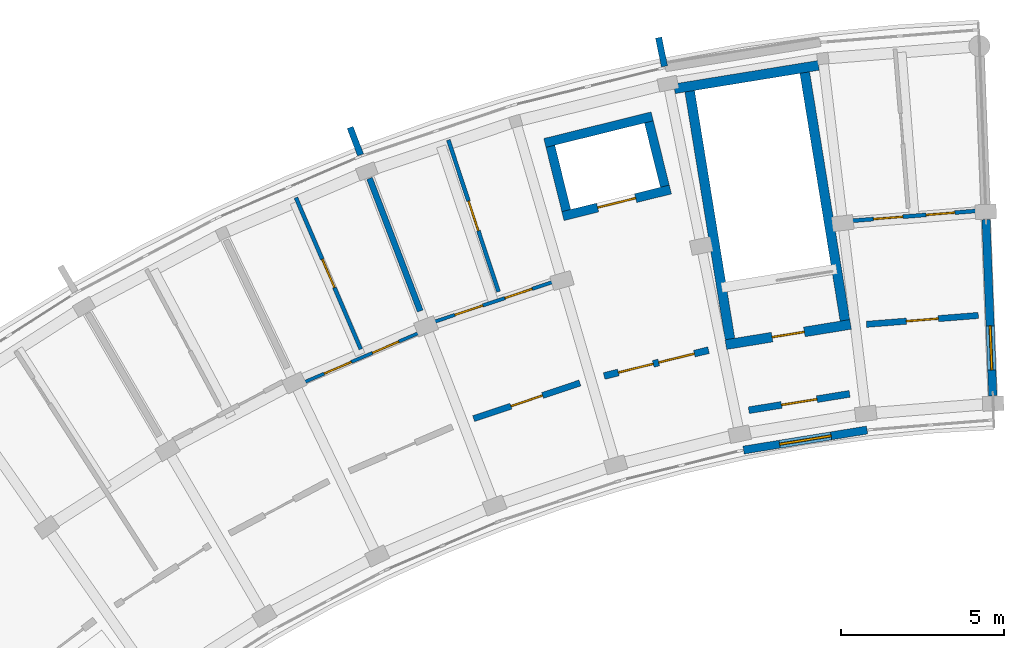
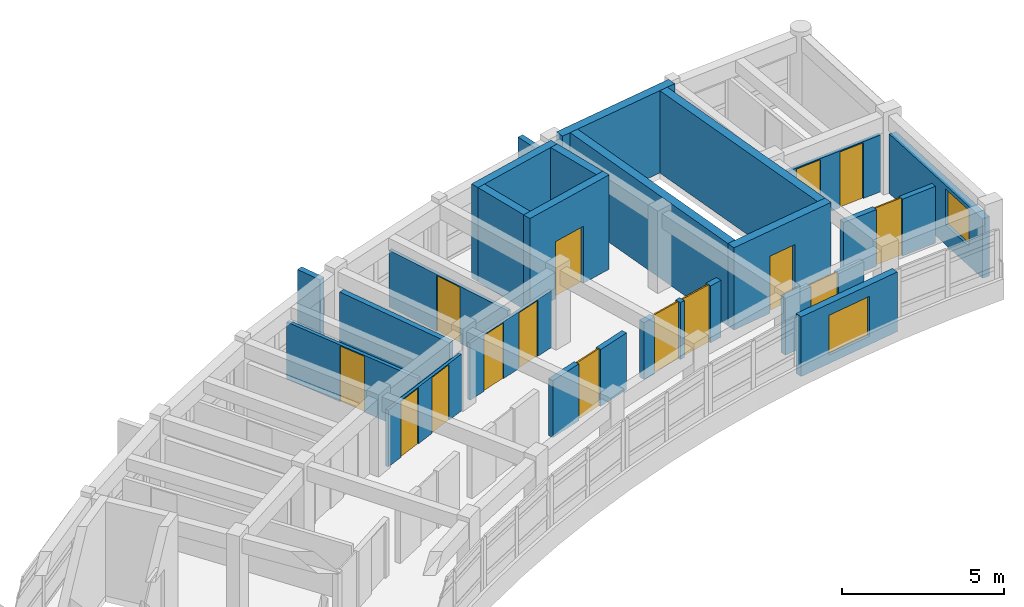
# One storey, part 9 of 11: 22 walls, 15 doors, 2 windows, 17 openings.
"""IFC4 building model written with IfcOpenShell, lengths in metres."""

from ifc_helpers import new_model, si_unit, direction, frame, frame_2d, origin, place, context, subcontext, project, spatial, rectangle, extrude, material, layer, layer_set, type_object, element, fill, save


model = new_model("IFC4")

# Units and contexts
model_context = context("Model", 3, precision=1e-05, world=origin(), true_north=direction((0.0, 1.0)))
body_context = subcontext(model_context, "Body", "Model", "MODEL_VIEW")
ifc_project = project(units=[si_unit("LENGTHUNIT", "METRE"), si_unit("AREAUNIT", "SQUARE_METRE"), si_unit("VOLUMEUNIT", "CUBIC_METRE"), si_unit("PLANEANGLEUNIT", "RADIAN"), si_unit("MASSUNIT", "GRAM", prefix="KILO")], contexts=[model_context])

# Site, building, storey
site_placement = place(None, origin())
site = spatial("IfcSite", under=ifc_project, at=site_placement, CompositionType="ELEMENT")
building_placement = place(site_placement, origin())
building = spatial("IfcBuilding", under=site, at=building_placement, Name="Zimvara Arc Housing Community", CompositionType="ELEMENT")
storey_placement = place(building_placement, frame((0.0, 0.0, 42.199951171875)))
storey = spatial("IfcBuildingStorey", under=building, at=storey_placement, Name="L13", CompositionType="ELEMENT", Elevation=42.199951171875)

# Wall, opening, window
ifc_material_1 = material(Name="Board-Marked Fair-Faced Concrete C35/45", Category="concrete")
ifc_layer_1 = layer(ifc_material_1, 0.2548828125)
ifc_layer_set_1 = layer_set([ifc_layer_1], Name="Board-Marked Fair-Faced Concrete C35/45")
wall_type_1 = type_object("IfcWallType", Name="EWL-CONC-255", PredefinedType="SOLIDWALL", material=ifc_layer_set_1)
wall_1_placement = place(storey_placement, frame((43.151123046875, 92.62451171875, 0.0), z_axis=(0.0, 0.0, 1.0), x_axis=(-0.038384504742, 0.999263043345, 0.0)))
wall_1 = element("IfcWall", 1, at=wall_1_placement, inside=storey, type_object=wall_type_1, Name="ewall:blkA:L13:gN", PredefinedType="SOLIDWALL", context=body_context, shape_type="SweptSolid", body=[
    extrude(rectangle(XDim=5.39990234375, YDim=0.2548828125, at=frame_2d((2.699951171875, 0.0))), origin(), (0.0, 0.0, 1.0), 2.239990234375),
])
opening_1_placement = place(wall_1_placement, frame((0.7900390625, 0.0, 0.75)))
opening_1 = element("IfcOpeningElement", 2, at=opening_1_placement, cuts=wall_1, Name="Opening W12", PredefinedType="OPENING", context=body_context, shape_type="SweptSolid", body=[
    extrude(rectangle(XDim=1.35009765625, YDim=1.35009765625, at=frame_2d((0.675048828125, 0.675048828125))), frame((0.0, 0.137451171875, 0.0), z_axis=(0.0, -1.0, 0.0), x_axis=(1.0, 0.0, 0.0)), (0.0, 0.0, 1.0), 0.27490234375),
])
ifc_material_2 = material(Name="Solar Control Low-E Double Glazing", Category="glass")
window_type_1 = type_object("IfcWindowType", Name="WIN-RES-1350x1350", PartitioningType="DOUBLE_PANEL_VERTICAL", PredefinedType="WINDOW", material=ifc_material_2)
window_1_placement = place(opening_1_placement, origin())
window_1 = element("IfcWindow", 3, at=window_1_placement, inside=storey, type_object=window_type_1, Name="win:blkA:L13:gN:w", OverallHeight=1.35009765625, OverallWidth=1.35009765625, PartitioningType="DOUBLE_PANEL_VERTICAL", PredefinedType="WINDOW", context=body_context, shape_type="SweptSolid", body=[
    extrude(rectangle(XDim=1.35009765625, YDim=1.35009765625, at=frame_2d((0.675048828125, 0.675048828125))), frame((0.0, 0.030029296875, 0.0), z_axis=(0.0, -1.0, 0.0), x_axis=(1.0, 0.0, 0.0)), (0.0, 0.0, 1.0), 0.06005859375),
])
fill(opening_1, window_1)

# Walls
ifc_material_3 = material(Name="Board-Marked Fair-Faced Concrete C35/45", Category="concrete")
ifc_layer_2 = layer(ifc_material_3, 0.195068359375)
ifc_layer_set_2 = layer_set([ifc_layer_2], Name="Board-Marked Fair-Faced Concrete C35/45")
wall_type_2 = type_object("IfcWallType", Name="EWL-PARA-195", PredefinedType="PARAPET", material=ifc_layer_set_2)
for number, where, z_axis, x_axis, name in (
    (4, (23.783203125, 100.0029296875, 0.0), (0.0, 0.0, 1.0), (-0.356942580168, 0.934126326823, 0.0), "finwall:blkA:L13:out:b6"),
    (5, (33.092529296875, 102.714599609375, 0.0), (0.0, 0.0, 1.0), (-0.200183211319, 0.979758481416, 0.0), "finwall:blkA:L13:out:b8"),
):
    element("IfcWall", number, at=place(storey_placement, frame(where, z_axis=z_axis, x_axis=x_axis)), inside=storey, type_object=wall_type_2, Name=name, PredefinedType="PARAPET", context=body_context, shape_type="SweptSolid", body=[
        extrude(rectangle(XDim=0.900146484375, YDim=0.195068359375, at=frame_2d((0.4501953125, 0.0))), origin(), (0.0, 0.0, 1.0), 2.25),
    ])

# Wall, opening, window
ifc_material_4 = material(Name="Pigmented Fair-Faced Concrete C35/45", Category="concrete")
ifc_layer_3 = layer(ifc_material_4, 0.2451171875)
ifc_layer_set_3 = layer_set([ifc_layer_3], Name="Pigmented Fair-Faced Concrete C35/45")
wall_type_3 = type_object("IfcWallType", Name="EWL-PIGM-245", PredefinedType="SOLIDWALL", material=ifc_layer_set_3)
wall_2_placement = place(storey_placement, frame((35.51708984375, 90.96142578125, 0.0), z_axis=(0.0, 0.0, 1.0), x_axis=(0.987080708519, 0.160223827412, 0.0)))
wall_2 = element("IfcWall", 6, at=wall_2_placement, inside=storey, type_object=wall_type_3, Name="ewall:blkA:L13:in:b8", PredefinedType="SOLIDWALL", context=body_context, shape_type="SweptSolid", body=[
    extrude(rectangle(XDim=3.832275390625, YDim=0.2451171875, at=frame_2d((1.916015625, 0.0))), origin(), (0.0, 0.0, 1.0), 2.25),
])
opening_2_placement = place(wall_2_placement, frame((1.1162109375, 0.0, 0.320068359375)))
opening_2 = element("IfcOpeningElement", 7, at=opening_2_placement, cuts=wall_2, Name="Opening W03", PredefinedType="OPENING", context=body_context, shape_type="SweptSolid", body=[
    extrude(rectangle(XDim=1.60009765625, YDim=1.5, at=frame_2d((0.800048828125, 0.75))), frame((0.0, 0.132568359375, 0.0), z_axis=(0.0, -1.0, 0.0), x_axis=(1.0, 0.0, 0.0)), (0.0, 0.0, 1.0), 0.26513671875),
])
ifc_material_5 = material(Name="Solar Control Low-E Double Glazing", Category="glass")
window_type_2 = type_object("IfcWindowType", Name="WIN-RES-1600x1500", PartitioningType="DOUBLE_PANEL_VERTICAL", PredefinedType="WINDOW", material=ifc_material_5)
window_2_placement = place(opening_2_placement, origin())
window_2 = element("IfcWindow", 8, at=window_2_placement, inside=storey, type_object=window_type_2, Name="win:blkA:L13:in:b8", OverallHeight=1.5, OverallWidth=1.60009765625, PartitioningType="DOUBLE_PANEL_VERTICAL", PredefinedType="WINDOW", context=body_context, shape_type="SweptSolid", body=[
    extrude(rectangle(XDim=1.60009765625, YDim=1.5, at=frame_2d((0.800048828125, 0.75))), frame((0.0, 0.030029296875, 0.0), z_axis=(0.0, -1.0, 0.0), x_axis=(1.0, 0.0, 0.0)), (0.0, 0.0, 1.0), 0.06005859375),
])
fill(opening_2, window_2)

# Wall, openings, doors
ifc_material_6 = material(Name="Concrete C35/45", Category="concrete")
ifc_layer_4 = layer(ifc_material_6, 0.2099609375)
ifc_layer_set_4 = layer_set([ifc_layer_4], Name="Concrete C35/45")
wall_type_4 = type_object("IfcWallType", Name="IWL-CCF-210", PredefinedType="SOLIDWALL", material=ifc_layer_set_4)
wall_3_placement = place(storey_placement, frame((31.242919921875, 93.22998046875, 0.0), z_axis=(0.0, 0.0, 1.0), x_axis=(0.970719238682, 0.240216901263, 0.0)))
wall_3 = element("IfcWall", 9, at=wall_3_placement, inside=storey, type_object=wall_type_4, Name="iwall:blkA:L13:ll_div:b7", PredefinedType="SOLIDWALL", context=body_context, shape_type="SweptSolid", body=[
    extrude(rectangle(XDim=3.2958984375, YDim=0.2099609375, at=frame_2d((1.64794921875, 0.0))), origin(), (0.0, 0.0, 1.0), 2.14013671875),
])
opening_3_placement = place(wall_3_placement, frame((0.449951171875, 0.0, 0.0)))
opening_3 = element("IfcOpeningElement", 10, at=opening_3_placement, cuts=wall_3, Name="Opening FD-CCF1", PredefinedType="OPENING", context=body_context, shape_type="SweptSolid", body=[
    extrude(rectangle(XDim=1.10009765625, YDim=2.14990234375, at=frame_2d((0.550048828125, 1.074951171875))), frame((0.0, 0.114990234375, 0.0), z_axis=(0.0, -1.0, 0.0), x_axis=(1.0, 0.0, 0.0)), (0.0, 0.0, 1.0), 0.22998046875),
])
opening_4_placement = place(wall_3_placement, frame((1.72607421875, 0.0, 0.0)))
opening_4 = element("IfcOpeningElement", 11, at=opening_4_placement, cuts=wall_3, Name="Opening D07", PredefinedType="OPENING", context=body_context, shape_type="SweptSolid", body=[
    extrude(rectangle(XDim=1.1201171875, YDim=2.14990234375, at=frame_2d((0.56005859375, 1.074951171875))), frame((0.0, 0.114990234375, 0.0), z_axis=(0.0, -1.0, 0.0), x_axis=(1.0, 0.0, 0.0)), (0.0, 0.0, 1.0), 0.22998046875),
])
ifc_material_7 = material(Name="Mozambican Hardwood", Category="wood")
door_type_1 = type_object("IfcDoorType", Name="IDR-AMN-1120x2150", OperationType="NOTDEFINED", PredefinedType="DOOR", material=ifc_material_7)
door_1_placement = place(opening_4_placement, origin())
door_1 = element("IfcDoor", 12, at=door_1_placement, inside=storey, type_object=door_type_1, Name="idoor:blkA:L13:rs_in:b7", OperationType="SINGLE_SWING_RIGHT", OverallHeight=2.14990234375, OverallWidth=1.1201171875, PredefinedType="DOOR", context=body_context, shape_type="SweptSolid", body=[
    extrude(rectangle(XDim=1.1201171875, YDim=2.14990234375, at=frame_2d((0.56005859375, 1.074951171875))), frame((0.0, 0.02490234375, 0.0), z_axis=(0.0, -1.0, 0.0), x_axis=(1.0, 0.0, 0.0)), (0.0, 0.0, 1.0), 0.050048828125),
])
fill(opening_4, door_1)
ifc_material_8 = material(Name="Anodised Aluminium AW-6063", Category="aluminium")
door_type_2 = type_object("IfcDoorType", Name="IDR-CCF-1100x2150", OperationType="NOTDEFINED", PredefinedType="DOOR", material=ifc_material_8)
door_2_placement = place(opening_3_placement, origin())
door_2 = element("IfcDoor", 13, at=door_2_placement, inside=storey, type_object=door_type_2, Name="idoor:blkA:L13:ll_in:b7", OperationType="SINGLE_SWING_LEFT", OverallHeight=2.14990234375, OverallWidth=1.10009765625, PredefinedType="DOOR", context=body_context, shape_type="SweptSolid", body=[
    extrude(rectangle(XDim=1.10009765625, YDim=2.14990234375, at=frame_2d((0.550048828125, 1.074951171875))), frame((0.0, 0.02490234375, 0.0), z_axis=(0.0, -1.0, 0.0), x_axis=(1.0, 0.0, 0.0)), (0.0, 0.0, 1.0), 0.050048828125),
])
fill(opening_3, door_2)

# Wall, opening, door
wall_4_placement = place(storey_placement, frame((35.675537109375, 92.181396484375, 0.0), z_axis=(0.0, 0.0, 1.0), x_axis=(0.98707079686, 0.160284877599, 0.0)))
wall_4 = element("IfcWall", 14, at=wall_4_placement, inside=storey, type_object=wall_type_4, Name="iwall:blkA:L13:ccf_div:b8", PredefinedType="SOLIDWALL", context=body_context, shape_type="SweptSolid", body=[
    extrude(rectangle(XDim=3.128662109375, YDim=0.2099609375, at=frame_2d((1.564453125, 0.0))), origin(), (0.0, 0.0, 1.0), 2.14013671875),
])
opening_5_placement = place(wall_4_placement, frame((1.014404296875, 0.0, 0.0)))
opening_5 = element("IfcOpeningElement", 15, at=opening_5_placement, cuts=wall_4, Name="Opening FD-CCF1", PredefinedType="OPENING", context=body_context, shape_type="SweptSolid", body=[
    extrude(rectangle(XDim=1.10009765625, YDim=2.14990234375, at=frame_2d((0.550048828125, 1.074951171875))), frame((0.0, 0.114990234375, 0.0), z_axis=(0.0, -1.0, 0.0), x_axis=(1.0, 0.0, 0.0)), (0.0, 0.0, 1.0), 0.22998046875),
])
door_3_placement = place(opening_5_placement, origin())
door_3 = element("IfcDoor", 16, at=door_3_placement, inside=storey, type_object=door_type_2, Name="idoor:blkA:L13:ccf_in:b8", OperationType="SINGLE_SWING_LEFT", OverallHeight=2.14990234375, OverallWidth=1.10009765625, PredefinedType="DOOR", context=body_context, shape_type="SweptSolid", body=[
    extrude(rectangle(XDim=1.10009765625, YDim=2.14990234375, at=frame_2d((0.550048828125, 1.074951171875))), frame((0.0, 0.02490234375, 0.0), z_axis=(0.0, -1.0, 0.0), x_axis=(1.0, 0.0, 0.0)), (0.0, 0.0, 1.0), 0.050048828125),
])
fill(opening_5, door_3)

ifc_material_9 = material(Name="Concrete C35/45", Category="concrete")
ifc_layer_5 = layer(ifc_material_9, 0.18994140625)
ifc_layer_set_5 = layer_set([ifc_layer_5], Name="Concrete C35/45")
wall_type_5 = type_object("IfcWallType", Name="IWL-CORR-190", PredefinedType="SOLIDWALL", material=ifc_layer_set_5)
wall_5_placement = place(storey_placement, frame((27.24658203125, 91.922607421875, 0.0), z_axis=(0.0, 0.0, 1.0), x_axis=(0.947863007629, 0.318678080151, 0.0)))
wall_5 = element("IfcWall", 17, at=wall_5_placement, inside=storey, type_object=wall_type_5, Name="iwall:blkA:L13:corr_out:b6", PredefinedType="SOLIDWALL", context=body_context, shape_type="SweptSolid", body=[
    extrude(rectangle(XDim=3.43603515625, YDim=0.18994140625, at=frame_2d((1.718017578125, 0.0))), origin(), (0.0, 0.0, 1.0), 2.14013671875),
])
opening_6_placement = place(wall_5_placement, frame((1.2080078125, 0.0, 0.0)))
opening_6 = element("IfcOpeningElement", 18, at=opening_6_placement, cuts=wall_5, Name="Opening FD-FL2", PredefinedType="OPENING", context=body_context, shape_type="SweptSolid", body=[
    extrude(rectangle(XDim=1.02001953125, YDim=2.14990234375, at=frame_2d((0.510009765625, 1.074951171875))), frame((0.0, 0.10498046875, 0.0), z_axis=(0.0, -1.0, 0.0), x_axis=(1.0, 0.0, 0.0)), (0.0, 0.0, 1.0), 0.2099609375),
])
ifc_material_10 = material(Name="Mozambican Hardwood", Category="wood")
door_type_3 = type_object("IfcDoorType", Name="IDR-FLAT-1020x2150", OperationType="NOTDEFINED", PredefinedType="DOOR", material=ifc_material_10)
door_4_placement = place(opening_6_placement, origin())
door_4 = element("IfcDoor", 19, at=door_4_placement, inside=storey, type_object=door_type_3, Name="idoor:blkA:L13:flat:b6", OperationType="SINGLE_SWING_LEFT", OverallHeight=2.14990234375, OverallWidth=1.02001953125, PredefinedType="DOOR", context=body_context, shape_type="SweptSolid", body=[
    extrude(rectangle(XDim=1.02001953125, YDim=2.14990234375, at=frame_2d((0.510009765625, 1.074951171875))), frame((0.0, 0.02490234375, 0.0), z_axis=(0.0, -1.0, 0.0), x_axis=(1.0, 0.0, 0.0)), (0.0, 0.0, 1.0), 0.050048828125),
])
fill(opening_6, door_4)

wall_6_placement = place(storey_placement, frame((39.281494140625, 94.81298828125, 0.0), z_axis=(0.0, 0.0, 1.0), x_axis=(0.996862545573, 0.079152165058, 0.0)))
wall_6 = element("IfcWall", 20, at=wall_6_placement, inside=storey, type_object=wall_type_5, Name="iwall:blkA:L13:corr_out:b9", PredefinedType="SOLIDWALL", context=body_context, shape_type="SweptSolid", body=[
    extrude(rectangle(XDim=3.43603515625, YDim=0.18994140625, at=frame_2d((1.718017578125, 0.0))), origin(), (0.0, 0.0, 1.0), 2.14013671875),
])
opening_7_placement = place(wall_6_placement, frame((1.22802734375, 0.0, 0.0)))
opening_7 = element("IfcOpeningElement", 21, at=opening_7_placement, cuts=wall_6, Name="Opening FD-FL1", PredefinedType="OPENING", context=body_context, shape_type="SweptSolid", body=[
    extrude(rectangle(XDim=0.97998046875, YDim=2.14990234375, at=frame_2d((0.489990234375, 1.074951171875))), frame((0.0, 0.10498046875, 0.0), z_axis=(0.0, -1.0, 0.0), x_axis=(1.0, 0.0, 0.0)), (0.0, 0.0, 1.0), 0.2099609375),
])
ifc_material_11 = material(Name="Mozambican Hardwood", Category="wood")
door_type_4 = type_object("IfcDoorType", Name="IDR-FLAT-0980x2150", OperationType="NOTDEFINED", PredefinedType="DOOR", material=ifc_material_11)
door_5_placement = place(opening_7_placement, origin())
door_5 = element("IfcDoor", 22, at=door_5_placement, inside=storey, type_object=door_type_4, Name="idoor:blkA:L13:flat:b9", OperationType="SINGLE_SWING_RIGHT", OverallHeight=2.14990234375, OverallWidth=0.97998046875, PredefinedType="DOOR", context=body_context, shape_type="SweptSolid", body=[
    extrude(rectangle(XDim=0.97998046875, YDim=2.14990234375, at=frame_2d((0.489990234375, 1.074951171875))), frame((0.0, 0.02490234375, 0.0), z_axis=(0.0, -1.0, 0.0), x_axis=(1.0, 0.0, 0.0)), (0.0, 0.0, 1.0), 0.050048828125),
])
fill(opening_7, door_5)

# Wall
ifc_material_12 = material(Name="Concrete C35/45", Category="concrete")
ifc_layer_6 = layer(ifc_material_12, 0.18505859375)
ifc_layer_set_6 = layer_set([ifc_layer_6], Name="Concrete C35/45")
wall_type_6 = type_object("IfcWallType", Name="IWL-FLAT-185", PredefinedType="SOLIDWALL", material=ifc_layer_set_6)
wall_7_placement = place(storey_placement, frame((25.611328125, 95.220458984375, 0.0), z_axis=(0.0, 0.0, 1.0), x_axis=(-0.357064016205, 0.934079915388, 0.0)))
element("IfcWall", 23, at=wall_7_placement, inside=storey, type_object=wall_type_6, Name="iwall:blkA:L13:party:b6", PredefinedType="SOLIDWALL", context=body_context, shape_type="SweptSolid", body=[
    extrude(rectangle(XDim=4.35009765625, YDim=0.18505859375, at=frame_2d((2.175048828125, 0.0))), origin(), (0.0, 0.0, 1.0), 2.14013671875),
])

# Wall, openings, doors
ifc_material_13 = material(Name="Painted Acoustic Plasterboard")
ifc_layer_7 = layer(ifc_material_13, 0.10009765625)
ifc_layer_set_7 = layer_set([ifc_layer_7], Name="Painted Acoustic Plasterboard")
wall_type_7 = type_object("IfcWallType", Name="IWL-PART-100", PredefinedType="PARTITIONING", material=ifc_layer_set_7)
wall_8_placement = place(storey_placement, frame((22.072509765625, 93.046875, 0.0), z_axis=(0.0, 0.0, 1.0), x_axis=(0.918737522346, 0.394868794707, 0.0)))
wall_8 = element("IfcWall", 24, at=wall_8_placement, inside=storey, type_object=wall_type_7, Name="iwall:blkA:L13:srv:b5", PredefinedType="PARTITIONING", context=body_context, shape_type="SweptSolid", body=[
    extrude(rectangle(XDim=3.78515625, YDim=0.10009765625, at=frame_2d((1.892578125, 0.0))), origin(), (0.0, 0.0, 1.0), 2.14013671875),
])
opening_8_placement = place(wall_8_placement, frame((0.64990234375, 0.0, 0.0)))
opening_8 = element("IfcOpeningElement", 25, at=opening_8_placement, cuts=wall_8, Name="Opening D01", PredefinedType="OPENING", context=body_context, shape_type="SweptSolid", body=[
    extrude(rectangle(XDim=0.89990234375, YDim=2.10009765625, at=frame_2d((0.449951171875, 1.050048828125))), frame((0.0, 0.06005859375, 0.0), z_axis=(0.0, -1.0, 0.0), x_axis=(1.0, 0.0, 0.0)), (0.0, 0.0, 1.0), 0.1201171875),
])
opening_9_placement = place(wall_8_placement, frame((2.255126953125, 0.0, 0.0)))
opening_9 = element("IfcOpeningElement", 26, at=opening_9_placement, cuts=wall_8, Name="Opening D05", PredefinedType="OPENING", context=body_context, shape_type="SweptSolid", body=[
    extrude(rectangle(XDim=0.8798828125, YDim=2.10009765625, at=frame_2d((0.43994140625, 1.050048828125))), frame((0.0, 0.06005859375, 0.0), z_axis=(0.0, -1.0, 0.0), x_axis=(1.0, 0.0, 0.0)), (0.0, 0.0, 1.0), 0.1201171875),
])
ifc_material_14 = material(Name="Mozambican Hardwood", Category="wood")
door_type_5 = type_object("IfcDoorType", Name="IDR-RM-0900x2100", OperationType="NOTDEFINED", PredefinedType="DOOR", material=ifc_material_14)
door_6_placement = place(opening_8_placement, origin())
door_6 = element("IfcDoor", 27, at=door_6_placement, inside=storey, type_object=door_type_5, Name="idoor:blkA:L13:kit_liv:b5", OperationType="SINGLE_SWING_RIGHT", OverallHeight=2.10009765625, OverallWidth=0.89990234375, PredefinedType="DOOR", context=body_context, shape_type="SweptSolid", body=[
    extrude(rectangle(XDim=0.89990234375, YDim=2.10009765625, at=frame_2d((0.449951171875, 1.050048828125))), frame((0.0, 0.02490234375, 0.0), z_axis=(0.0, -1.0, 0.0), x_axis=(1.0, 0.0, 0.0)), (0.0, 0.0, 1.0), 0.050048828125),
])
fill(opening_8, door_6)
ifc_material_15 = material(Name="Mozambican Hardwood", Category="wood")
door_type_6 = type_object("IfcDoorType", Name="IDR-WC-0880x2100", OperationType="NOTDEFINED", PredefinedType="DOOR", material=ifc_material_15)
door_7_placement = place(opening_9_placement, origin())
door_7 = element("IfcDoor", 28, at=door_7_placement, inside=storey, type_object=door_type_6, Name="idoor:blkA:L13:bath_d:b5", OperationType="SINGLE_SWING_LEFT", OverallHeight=2.10009765625, OverallWidth=0.8798828125, PredefinedType="DOOR", context=body_context, shape_type="SweptSolid", body=[
    extrude(rectangle(XDim=0.8798828125, YDim=2.10009765625, at=frame_2d((0.43994140625, 1.050048828125))), frame((0.0, 0.02490234375, 0.0), z_axis=(0.0, -1.0, 0.0), x_axis=(1.0, 0.0, 0.0)), (0.0, 0.0, 1.0), 0.050048828125),
])
fill(opening_9, door_7)

ifc_material_16 = material(Name="Painted Acoustic Plasterboard")
ifc_layer_8 = layer(ifc_material_16, 0.10498046875)
ifc_layer_set_8 = layer_set([ifc_layer_8], Name="Painted Acoustic Plasterboard")
wall_type_8 = type_object("IfcWallType", Name="IWL-PART-105", PredefinedType="PARTITIONING", material=ifc_layer_set_8)
wall_9_placement = place(storey_placement, frame((26.056396484375, 94.895751953125, 0.0), z_axis=(0.0, 0.0, 1.0), x_axis=(0.947876567739, 0.318637744673, 0.0)))
wall_9 = element("IfcWall", 29, at=wall_9_placement, inside=storey, type_object=wall_type_8, Name="iwall:blkA:L13:srv:b6", PredefinedType="PARTITIONING", context=body_context, shape_type="SweptSolid", body=[
    extrude(rectangle(XDim=3.79736328125, YDim=0.10498046875, at=frame_2d((1.898681640625, 0.0))), origin(), (0.0, 0.0, 1.0), 2.14013671875),
])
opening_10_placement = place(wall_9_placement, frame((0.64990234375, 0.0, 0.0)))
opening_10 = element("IfcOpeningElement", 30, at=opening_10_placement, cuts=wall_9, Name="Opening D01", PredefinedType="OPENING", context=body_context, shape_type="SweptSolid", body=[
    extrude(rectangle(XDim=0.89990234375, YDim=2.10009765625, at=frame_2d((0.449951171875, 1.050048828125))), frame((0.0, 0.0625, 0.0), z_axis=(0.0, -1.0, 0.0), x_axis=(1.0, 0.0, 0.0)), (0.0, 0.0, 1.0), 0.125),
])
opening_11_placement = place(wall_9_placement, frame((2.267333984375, 0.0, 0.0)))
opening_11 = element("IfcOpeningElement", 31, at=opening_11_placement, cuts=wall_9, Name="Opening D05", PredefinedType="OPENING", context=body_context, shape_type="SweptSolid", body=[
    extrude(rectangle(XDim=0.8798828125, YDim=2.10009765625, at=frame_2d((0.43994140625, 1.050048828125))), frame((0.0, 0.0625, 0.0), z_axis=(0.0, -1.0, 0.0), x_axis=(1.0, 0.0, 0.0)), (0.0, 0.0, 1.0), 0.125),
])
door_8_placement = place(opening_10_placement, origin())
door_8 = element("IfcDoor", 32, at=door_8_placement, inside=storey, type_object=door_type_5, Name="idoor:blkA:L13:kit_liv:b6", OperationType="SINGLE_SWING_RIGHT", OverallHeight=2.10009765625, OverallWidth=0.89990234375, PredefinedType="DOOR", context=body_context, shape_type="SweptSolid", body=[
    extrude(rectangle(XDim=0.89990234375, YDim=2.10009765625, at=frame_2d((0.449951171875, 1.050048828125))), frame((0.0, 0.02490234375, 0.0), z_axis=(0.0, -1.0, 0.0), x_axis=(1.0, 0.0, 0.0)), (0.0, 0.0, 1.0), 0.050048828125),
])
fill(opening_10, door_8)
door_9_placement = place(opening_11_placement, origin())
door_9 = element("IfcDoor", 33, at=door_9_placement, inside=storey, type_object=door_type_6, Name="idoor:blkA:L13:bath_d:b6", OperationType="SINGLE_SWING_LEFT", OverallHeight=2.10009765625, OverallWidth=0.8798828125, PredefinedType="DOOR", context=body_context, shape_type="SweptSolid", body=[
    extrude(rectangle(XDim=0.8798828125, YDim=2.10009765625, at=frame_2d((0.43994140625, 1.050048828125))), frame((0.0, 0.02490234375, 0.0), z_axis=(0.0, -1.0, 0.0), x_axis=(1.0, 0.0, 0.0)), (0.0, 0.0, 1.0), 0.050048828125),
])
fill(opening_11, door_9)

# Wall, opening, door
ifc_material_17 = material(Name="Painted Acoustic Plasterboard")
ifc_layer_9 = layer(ifc_material_17, 0.1201171875)
ifc_layer_set_9 = layer_set([ifc_layer_9], Name="Painted Acoustic Plasterboard")
wall_type_9 = type_object("IfcWallType", Name="IWL-PART-120", PredefinedType="PARTITIONING", material=ifc_layer_set_9)
wall_10_placement = place(storey_placement, frame((23.789306640625, 94.05126953125, 0.0), z_axis=(0.0, 0.0, 1.0), x_axis=(-0.393539995583, 0.919307495823, 0.0)))
wall_10 = element("IfcWall", 34, at=wall_10_placement, inside=storey, type_object=wall_type_9, Name="iwall:blkA:L13:bed_div:b5", PredefinedType="PARTITIONING", context=body_context, shape_type="SweptSolid", body=[
    extrude(rectangle(XDim=5.0498046875, YDim=0.1201171875, at=frame_2d((2.52490234375, 0.0))), origin(), (0.0, 0.0, 1.0), 2.14013671875),
])
opening_12_placement = place(wall_10_placement, frame((2.054931640625, 0.0, 0.0)))
opening_12 = element("IfcOpeningElement", 35, at=opening_12_placement, cuts=wall_10, Name="Opening D03", PredefinedType="OPENING", context=body_context, shape_type="SweptSolid", body=[
    extrude(rectangle(XDim=0.93994140625, YDim=2.10009765625, at=frame_2d((0.469970703125, 1.050048828125))), frame((0.0, 0.070068359375, 0.0), z_axis=(0.0, -1.0, 0.0), x_axis=(1.0, 0.0, 0.0)), (0.0, 0.0, 1.0), 0.14013671875),
])
ifc_material_18 = material(Name="Mozambican Hardwood", Category="wood")
door_type_7 = type_object("IfcDoorType", Name="IDR-RM-0940x2100", OperationType="NOTDEFINED", PredefinedType="DOOR", material=ifc_material_18)
door_10_placement = place(opening_12_placement, origin())
door_10 = element("IfcDoor", 36, at=door_10_placement, inside=storey, type_object=door_type_7, Name="idoor:blkA:L13:bed_d:b5", OperationType="SINGLE_SWING_RIGHT", OverallHeight=2.10009765625, OverallWidth=0.93994140625, PredefinedType="DOOR", context=body_context, shape_type="SweptSolid", body=[
    extrude(rectangle(XDim=0.93994140625, YDim=2.10009765625, at=frame_2d((0.469970703125, 1.050048828125))), frame((0.0, 0.02490234375, 0.0), z_axis=(0.0, -1.0, 0.0), x_axis=(1.0, 0.0, 0.0)), (0.0, 0.0, 1.0), 0.050048828125),
])
fill(opening_12, door_10)

wall_11_placement = place(storey_placement, frame((28.010009765625, 95.810302734375, 0.0), z_axis=(0.0, 0.0, 1.0), x_axis=(-0.314343770763, 0.949309219266, 0.0)))
wall_11 = element("IfcWall", 37, at=wall_11_placement, inside=storey, type_object=wall_type_9, Name="iwall:blkA:L13:bed_div:b6", PredefinedType="PARTITIONING", context=body_context, shape_type="SweptSolid", body=[
    extrude(rectangle(XDim=4.89990234375, YDim=0.1201171875, at=frame_2d((2.449951171875, 0.0))), origin(), (0.0, 0.0, 1.0), 2.14013671875),
])
opening_13_placement = place(wall_11_placement, frame((1.969970703125, 0.0, 0.0)))
opening_13 = element("IfcOpeningElement", 38, at=opening_13_placement, cuts=wall_11, Name="Opening D04", PredefinedType="OPENING", context=body_context, shape_type="SweptSolid", body=[
    extrude(rectangle(XDim=0.9599609375, YDim=2.10009765625, at=frame_2d((0.47998046875, 1.050048828125))), frame((0.0, 0.070068359375, 0.0), z_axis=(0.0, -1.0, 0.0), x_axis=(1.0, 0.0, 0.0)), (0.0, 0.0, 1.0), 0.14013671875),
])
ifc_material_19 = material(Name="Mozambican Hardwood", Category="wood")
door_type_8 = type_object("IfcDoorType", Name="IDR-RM-0960x2100", OperationType="NOTDEFINED", PredefinedType="DOOR", material=ifc_material_19)
door_11_placement = place(opening_13_placement, origin())
door_11 = element("IfcDoor", 39, at=door_11_placement, inside=storey, type_object=door_type_8, Name="idoor:blkA:L13:bed_d:b6", OperationType="SINGLE_SWING_RIGHT", OverallHeight=2.10009765625, OverallWidth=0.9599609375, PredefinedType="DOOR", context=body_context, shape_type="SweptSolid", body=[
    extrude(rectangle(XDim=0.9599609375, YDim=2.10009765625, at=frame_2d((0.47998046875, 1.050048828125))), frame((0.0, 0.02490234375, 0.0), z_axis=(0.0, -1.0, 0.0), x_axis=(1.0, 0.0, 0.0)), (0.0, 0.0, 1.0), 0.050048828125),
])
fill(opening_13, door_11)

# Wall, openings, doors
wall_12_placement = place(storey_placement, frame((38.848388671875, 97.986083984375, 0.0), z_axis=(0.0, 0.0, 1.0), x_axis=(0.996863138536, 0.079144696778, 0.0)))
wall_12 = element("IfcWall", 40, at=wall_12_placement, inside=storey, type_object=wall_type_9, Name="iwall:blkA:L13:srv:b9", PredefinedType="PARTITIONING", context=body_context, shape_type="SweptSolid", body=[
    extrude(rectangle(XDim=3.79736328125, YDim=0.1201171875, at=frame_2d((1.898681640625, 0.0))), origin(), (0.0, 0.0, 1.0), 2.14013671875),
])
opening_14_placement = place(wall_12_placement, frame((0.64990234375, 0.0, 0.0)))
opening_14 = element("IfcOpeningElement", 41, at=opening_14_placement, cuts=wall_12, Name="Opening D01", PredefinedType="OPENING", context=body_context, shape_type="SweptSolid", body=[
    extrude(rectangle(XDim=0.89990234375, YDim=2.10009765625, at=frame_2d((0.449951171875, 1.050048828125))), frame((0.0, 0.070068359375, 0.0), z_axis=(0.0, -1.0, 0.0), x_axis=(1.0, 0.0, 0.0)), (0.0, 0.0, 1.0), 0.14013671875),
])
opening_15_placement = place(wall_12_placement, frame((2.267333984375, 0.0, 0.0)))
opening_15 = element("IfcOpeningElement", 42, at=opening_15_placement, cuts=wall_12, Name="Opening D05", PredefinedType="OPENING", context=body_context, shape_type="SweptSolid", body=[
    extrude(rectangle(XDim=0.8798828125, YDim=2.10009765625, at=frame_2d((0.43994140625, 1.050048828125))), frame((0.0, 0.070068359375, 0.0), z_axis=(0.0, -1.0, 0.0), x_axis=(1.0, 0.0, 0.0)), (0.0, 0.0, 1.0), 0.14013671875),
])
door_12_placement = place(opening_14_placement, origin())
door_12 = element("IfcDoor", 43, at=door_12_placement, inside=storey, type_object=door_type_5, Name="idoor:blkA:L13:kit_liv:b9", OperationType="SINGLE_SWING_LEFT", OverallHeight=2.10009765625, OverallWidth=0.89990234375, PredefinedType="DOOR", context=body_context, shape_type="SweptSolid", body=[
    extrude(rectangle(XDim=0.89990234375, YDim=2.10009765625, at=frame_2d((0.449951171875, 1.050048828125))), frame((0.0, 0.02490234375, 0.0), z_axis=(0.0, -1.0, 0.0), x_axis=(1.0, 0.0, 0.0)), (0.0, 0.0, 1.0), 0.050048828125),
])
fill(opening_14, door_12)
door_13_placement = place(opening_15_placement, origin())
door_13 = element("IfcDoor", 44, at=door_13_placement, inside=storey, type_object=door_type_6, Name="idoor:blkA:L13:bath_d:b9", OperationType="SINGLE_SWING_RIGHT", OverallHeight=2.10009765625, OverallWidth=0.8798828125, PredefinedType="DOOR", context=body_context, shape_type="SweptSolid", body=[
    extrude(rectangle(XDim=0.8798828125, YDim=2.10009765625, at=frame_2d((0.43994140625, 1.050048828125))), frame((0.0, 0.02490234375, 0.0), z_axis=(0.0, -1.0, 0.0), x_axis=(1.0, 0.0, 0.0)), (0.0, 0.0, 1.0), 0.050048828125),
])
fill(opening_15, door_13)

# Wall, opening, door
ifc_material_20 = material(Name="Concrete C40/50", Category="concrete")
ifc_layer_10 = layer(ifc_material_20, 0.280029296875)
ifc_layer_set_10 = layer_set([ifc_layer_10], Name="Concrete C40/50")
wall_type_10 = type_object("IfcWallType", Name="WL-CORE-280", PredefinedType="SHEAR", material=ifc_layer_set_10)
wall_13_placement = place(storey_placement, frame((33.27294921875, 98.942138671875, 0.0), z_axis=(0.0, 0.0, 1.0), x_axis=(-0.970707542441, -0.240264160972, 0.0)))
wall_13 = element("IfcWall", 45, at=wall_13_placement, inside=storey, type_object=wall_type_10, Name="lwall:LF-A2:L13:front", PredefinedType="SHEAR", context=body_context, shape_type="SweptSolid", body=[
    extrude(rectangle(XDim=3.389892578125, YDim=0.280029296875, at=frame_2d((1.69482421875, 0.0))), origin(), (0.0, 0.0, 1.0), 3.550048828125),
])
opening_16_placement = place(wall_13_placement, frame((1.094970703125, 0.0, 0.0)))
opening_16 = element("IfcOpeningElement", 46, at=opening_16_placement, cuts=wall_13, Name="Opening LD-LF-A2", PredefinedType="OPENING", context=body_context, shape_type="SweptSolid", body=[
    extrude(rectangle(XDim=1.199951171875, YDim=2.14990234375, at=frame_2d((0.60009765625, 1.074951171875))), frame((0.0, 0.14990234375, 0.0), z_axis=(0.0, -1.0, 0.0), x_axis=(1.0, 0.0, 0.0)), (0.0, 0.0, 1.0), 0.300048828125),
])
ifc_material_21 = material(Name="Anodised Aluminium AW-6063", Category="aluminium")
door_type_9 = type_object("IfcDoorType", Name="IDR-LD-1200x2150", OperationType="DOUBLE_DOOR_SLIDING", PredefinedType="DOOR", material=ifc_material_21)
door_14_placement = place(opening_16_placement, origin())
door_14 = element("IfcDoor", 47, at=door_14_placement, inside=storey, type_object=door_type_9, Name="Lift LF-A2 Sliding Landing Door L13", OperationType="DOUBLE_DOOR_SLIDING", OverallHeight=2.14990234375, OverallWidth=1.199951171875, PredefinedType="DOOR", context=body_context, shape_type="SweptSolid", body=[
    extrude(rectangle(XDim=1.199951171875, YDim=2.14990234375, at=frame_2d((0.60009765625, 1.074951171875))), frame((0.0, 0.02490234375, 0.0), z_axis=(0.0, -1.0, 0.0), x_axis=(1.0, 0.0, 0.0)), (0.0, 0.0, 1.0), 0.050048828125),
])
fill(opening_16, door_14)

# Walls
wall_14_placement = place(storey_placement, frame((32.71826171875, 101.1845703125, 0.0), z_axis=(0.0, 0.0, 1.0), x_axis=(-0.970711699588, -0.240247364777, 0.0)))
element("IfcWall", 48, at=wall_14_placement, inside=storey, type_object=wall_type_10, Name="lwall:LF-A2:L13:back", PredefinedType="SHEAR", context=body_context, shape_type="SweptSolid", body=[
    extrude(rectangle(XDim=3.39013671875, YDim=0.280029296875, at=frame_2d((1.695068359375, 0.0))), origin(), (0.0, 0.0, 1.0), 3.550048828125),
])
wall_15_placement = place(storey_placement, frame((33.103515625, 99.04443359375, 0.0), z_axis=(0.0, 0.0, 1.0), x_axis=(-0.240186044774, 0.970726873995, 0.0)))
element("IfcWall", 49, at=wall_15_placement, inside=storey, type_object=wall_type_10, Name="lwall:LF-A2:L13:left", PredefinedType="SHEAR", context=body_context, shape_type="SweptSolid", body=[
    extrude(rectangle(XDim=2.02978515625, YDim=0.280029296875, at=frame_2d((1.014892578125, 0.0))), origin(), (0.0, 0.0, 1.0), 3.550048828125),
])
wall_16_placement = place(storey_placement, frame((30.084716796875, 98.29736328125, 0.0), z_axis=(0.0, 0.0, 1.0), x_axis=(-0.2402993748, 0.970698825832, 0.0)))
element("IfcWall", 50, at=wall_16_placement, inside=storey, type_object=wall_type_10, Name="lwall:LF-A2:L13:right", PredefinedType="SHEAR", context=body_context, shape_type="SweptSolid", body=[
    extrude(rectangle(XDim=2.030029296875, YDim=0.280029296875, at=frame_2d((1.01513671875, 0.0))), origin(), (0.0, 0.0, 1.0), 3.550048828125),
])

# Wall, opening, door
ifc_material_22 = material(Name="Concrete C40/50", Category="concrete")
ifc_layer_11 = layer(ifc_material_22, 0.300048828125)
ifc_layer_set_11 = layer_set([ifc_layer_11], Name="Concrete C40/50")
wall_type_11 = type_object("IfcWallType", Name="WL-CORE-300", PredefinedType="SHEAR", material=ifc_layer_set_11)
wall_17_placement = place(storey_placement, frame((38.793701171875, 94.810546875, 0.0), z_axis=(0.0, 0.0, 1.0), x_axis=(-0.987077443397, -0.160243941341, 0.0)))
wall_17 = element("IfcWall", 51, at=wall_17_placement, inside=storey, type_object=wall_type_11, Name="cwall:ST-A2:L13:near", PredefinedType="SHEAR", context=body_context, shape_type="SweptSolid", body=[
    extrude(rectangle(XDim=3.869873046875, YDim=0.300048828125, at=frame_2d((1.93505859375, 0.0))), origin(), (0.0, 0.0, 1.0), 3.10009765625),
])
opening_17_placement = place(wall_17_placement, frame((1.43505859375, 0.0, 0.0)))
opening_17 = element("IfcOpeningElement", 52, at=opening_17_placement, cuts=wall_17, Name="Opening FD-ST1", PredefinedType="OPENING", context=body_context, shape_type="SweptSolid", body=[
    extrude(rectangle(XDim=1.0, YDim=2.14990234375, at=frame_2d((0.5, 1.074951171875))), frame((0.0, 0.159912109375, 0.0), z_axis=(0.0, -1.0, 0.0), x_axis=(1.0, 0.0, 0.0)), (0.0, 0.0, 1.0), 0.320068359375),
])
ifc_material_23 = material(Name="Anodised Aluminium AW-6063", Category="aluminium")
door_type_10 = type_object("IfcDoorType", Name="IDR-ST-1000x2150", OperationType="NOTDEFINED", PredefinedType="DOOR", material=ifc_material_23)
door_15_placement = place(opening_17_placement, origin())
door_15 = element("IfcDoor", 53, at=door_15_placement, inside=storey, type_object=door_type_10, Name="idoor:ST-A2:L13:entry", OperationType="SINGLE_SWING_LEFT", OverallHeight=2.14990234375, OverallWidth=1.0, PredefinedType="DOOR", context=body_context, shape_type="SweptSolid", body=[
    extrude(rectangle(XDim=1.0, YDim=2.14990234375, at=frame_2d((0.5, 1.074951171875))), frame((0.0, 0.02490234375, 0.0), z_axis=(0.0, -1.0, 0.0), x_axis=(1.0, 0.0, 0.0)), (0.0, 0.0, 1.0), 0.050048828125),
])
fill(opening_17, door_15)

# Walls
wall_18_placement = place(storey_placement, frame((37.8095703125, 102.745361328125, 0.0), z_axis=(0.0, 0.0, 1.0), x_axis=(-0.987084710126, -0.160199173019, 0.0)))
element("IfcWall", 54, at=wall_18_placement, inside=storey, type_object=wall_type_11, Name="cwall:ST-A2:L13:far", PredefinedType="SHEAR", context=body_context, shape_type="SweptSolid", body=[
    extrude(rectangle(XDim=4.4697265625, YDim=0.300048828125, at=frame_2d((2.23486328125, 0.0))), origin(), (0.0, 0.0, 1.0), 3.10009765625),
])
for number, where, z_axis, x_axis, name in (
    (55, (38.62158203125, 94.9345703125, 0.0), (0.0, 0.0, 1.0), (-0.160196564502, 0.987085133472, 0.0), "cwall:ST-A2:L13:left"),
    (56, (35.097900390625, 94.362548828125, 0.0), (0.0, 0.0, 1.0), (-0.160227496777, 0.987080112897, 0.0), "cwall:ST-A2:L13:right"),
):
    element("IfcWall", number, at=place(storey_placement, frame(where, z_axis=z_axis, x_axis=x_axis)), inside=storey, type_object=wall_type_11, Name=name, PredefinedType="SHEAR", context=body_context, shape_type="SweptSolid", body=[
        extrude(rectangle(XDim=7.690185546875, YDim=0.300048828125, at=frame_2d((3.84521484375, 0.0))), origin(), (0.0, 0.0, 1.0), 3.10009765625),
    ])

save(model, "model.ifc")
